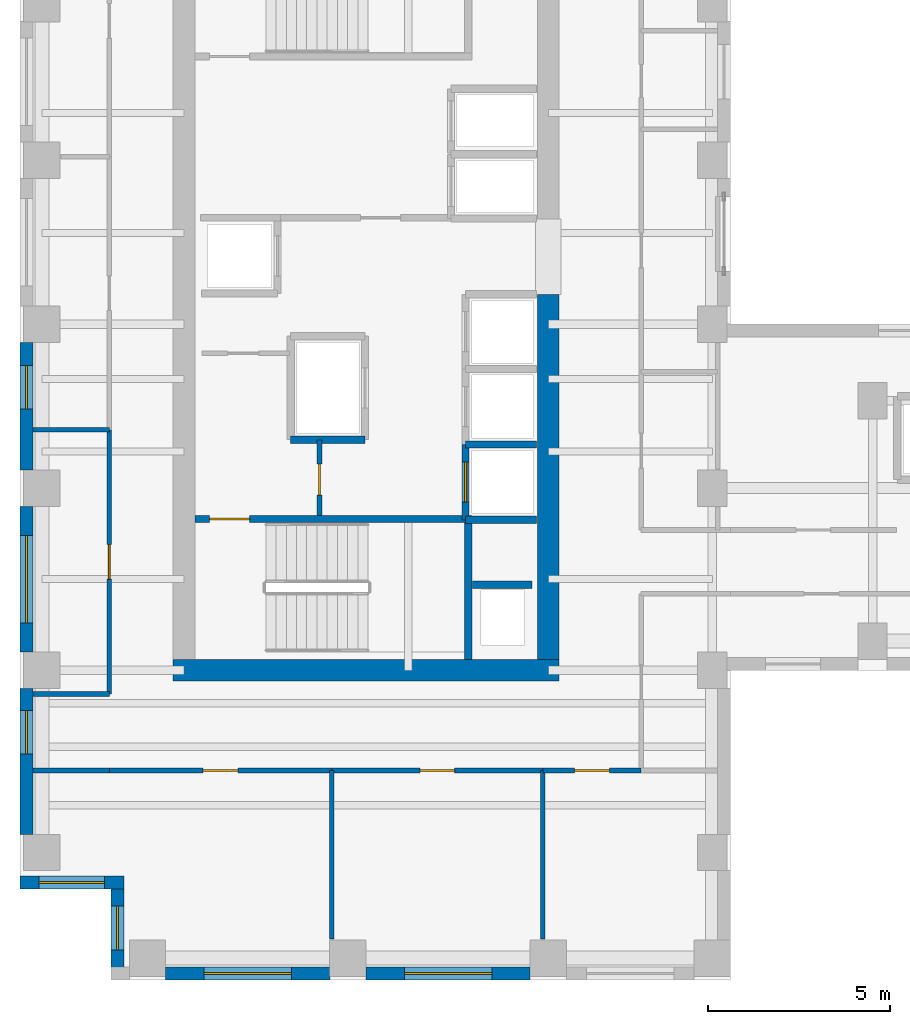
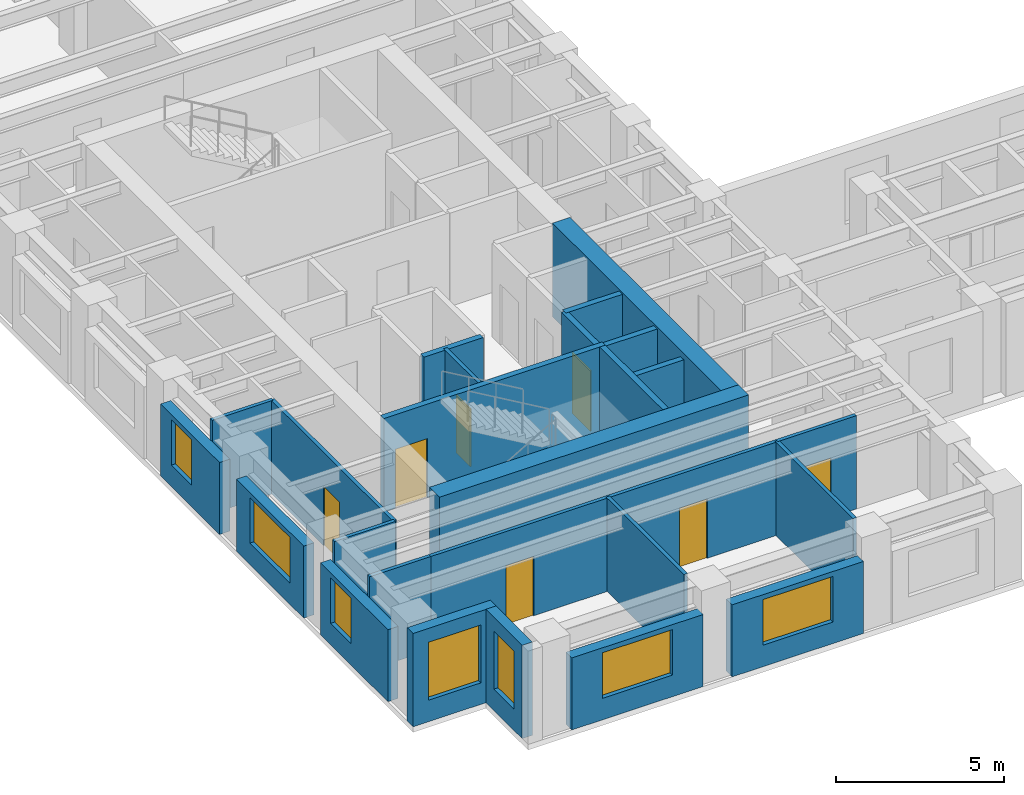
# One storey, part 4 of 11: 26 walls, 7 doors, 7 windows, 14 openings.
"""IFC4 building model written with IfcOpenShell, lengths in metres."""

from ifc_helpers import new_model, si_unit, direction, frame, frame_2d, origin, place, context, subcontext, project, spatial, rectangle, extrude, source, transform, mapped, material, layer, layer_set, type_object, element, fill, save


model = new_model("IFC4")

# Units and contexts
model_context = context("Model", 3, precision=1e-05, world=origin(), true_north=direction((0.0, 1.0)))
body_context = subcontext(model_context, "Body", "Model", "MODEL_VIEW")
ifc_project = project(units=[si_unit("LENGTHUNIT", "METRE"), si_unit("AREAUNIT", "SQUARE_METRE"), si_unit("VOLUMEUNIT", "CUBIC_METRE"), si_unit("PLANEANGLEUNIT", "RADIAN"), si_unit("MASSUNIT", "GRAM", prefix="KILO")], contexts=[model_context])

# Site, building, storey
site_placement = place(None, origin())
site = spatial("IfcSite", under=ifc_project, at=site_placement, CompositionType="ELEMENT")
building_placement = place(site_placement, origin())
building = spatial("IfcBuilding", under=site, at=building_placement, Name="Kharzan Plaza Tower", CompositionType="ELEMENT")
storey_placement = place(building_placement, frame((0.0, 0.0, 182.699951171875)))
storey = spatial("IfcBuildingStorey", under=building, at=storey_placement, Name="L49", CompositionType="ELEMENT", Elevation=182.699951171875)

# Wall, opening, window
ifc_material_1 = material(Name="Concrete C40/50", Category="concrete")
ifc_layer_1 = layer(ifc_material_1, 0.35009765625)
ifc_layer_set_1 = layer_set([ifc_layer_1], Name="Concrete C40/50")
wall_type_1 = type_object("IfcWallType", Name="WL-EXT-MAS-Z3", PredefinedType="SOLIDWALL", material=ifc_layer_set_1)
wall_1_placement = place(storey_placement, frame((0.175048828125, 17.501953125, 0.0), z_axis=(0.0, 0.0, 1.0), x_axis=(0.0, -1.0, 0.0)))
wall_1 = element("IfcWall", 1, at=wall_1_placement, inside=storey, type_object=wall_type_1, Name="L49 Masonry-Frame Exterior Wall 15", PredefinedType="SOLIDWALL", context=body_context, shape_type="SweptSolid", body=[
    extrude(rectangle(XDim=3.50390625, YDim=0.35009765625, at=frame_2d((1.751953125, 0.0))), origin(), (0.0, 0.0, 1.0), 2.612060546875),
])
opening_1_placement = place(wall_1_placement, frame((0.635986328125, 0.0, 0.780029296875)))
opening_1 = element("IfcOpeningElement", 2, at=opening_1_placement, cuts=wall_1, Name="Opening W3", PredefinedType="OPENING", context=body_context, shape_type="SweptSolid", body=[
    extrude(rectangle(XDim=1.199951171875, YDim=1.652099609375, at=frame_2d((0.60009765625, 0.826171875))), frame((0.0, 0.18505859375, 0.0), z_axis=(0.0, -1.0, 0.0), x_axis=(1.0, 0.0, 0.0)), (0.0, 0.0, 1.0), 0.3701171875),
])
ifc_material_2 = material(Name="Low-E Double Glazing", Category="glass")
window_type_1 = type_object("IfcWindowType", Name="WN-REC-1200x2100", PartitioningType="SINGLE_PANEL", PredefinedType="WINDOW", material=ifc_material_2)
shared_shape_1 = source(origin(), body_context, "Body", "SweptSolid", [
    extrude(rectangle(XDim=1.199951171875, YDim=1.652099609375, at=frame_2d((0.60009765625, 0.826171875))), frame((0.0, 0.030029296875, 0.0), z_axis=(0.0, -1.0, 0.0), x_axis=(1.0, 0.0, 0.0)), (0.0, 0.0, 1.0), 0.06005859375),
])
window_1_placement = place(opening_1_placement, origin())
window_1 = element("IfcWindow", 3, at=window_1_placement, inside=storey, type_object=window_type_1, Name="L49 Recessed Solar-Control Window 15-1", OverallHeight=1.652099609375, OverallWidth=1.199951171875, PartitioningType="SINGLE_PANEL", PredefinedType="WINDOW", context=body_context, shape_type="MappedRepresentation", body=[
    mapped(shared_shape_1, transform((0.0, 0.0, 0.0), x_axis=(1.0, 0.0, 0.0), y_axis=(0.0, 1.0, 0.0), z_axis=(0.0, 0.0, 1.0))),
])
fill(opening_1, window_1)

wall_2_placement = place(storey_placement, frame((0.175048828125, 13.001953125, 0.0), z_axis=(0.0, 0.0, 1.0), x_axis=(0.0, -1.0, 0.0)))
wall_2 = element("IfcWall", 4, at=wall_2_placement, inside=storey, type_object=wall_type_1, Name="L49 Masonry-Frame Exterior Wall 16", PredefinedType="SOLIDWALL", context=body_context, shape_type="SweptSolid", body=[
    extrude(rectangle(XDim=4.00390625, YDim=0.35009765625, at=frame_2d((2.001953125, 0.0))), origin(), (0.0, 0.0, 1.0), 2.612060546875),
])
opening_2_placement = place(wall_2_placement, frame((0.802001953125, 0.0, 0.780029296875)))
opening_2 = element("IfcOpeningElement", 5, at=opening_2_placement, cuts=wall_2, Name="Opening W2", PredefinedType="OPENING", context=body_context, shape_type="SweptSolid", body=[
    extrude(rectangle(XDim=2.39990234375, YDim=1.652099609375, at=frame_2d((1.199951171875, 0.826171875))), frame((0.0, 0.18505859375, 0.0), z_axis=(0.0, -1.0, 0.0), x_axis=(1.0, 0.0, 0.0)), (0.0, 0.0, 1.0), 0.3701171875),
])
window_type_2 = type_object("IfcWindowType", Name="WN-REC-2400x2100", PartitioningType="SINGLE_PANEL", PredefinedType="WINDOW", material=ifc_material_2)
shared_shape_2 = source(origin(), body_context, "Body", "SweptSolid", [
    extrude(rectangle(XDim=2.39990234375, YDim=1.652099609375, at=frame_2d((1.199951171875, 0.826171875))), frame((0.0, 0.030029296875, 0.0), z_axis=(0.0, -1.0, 0.0), x_axis=(1.0, 0.0, 0.0)), (0.0, 0.0, 1.0), 0.06005859375),
])
window_2_placement = place(opening_2_placement, origin())
window_2 = element("IfcWindow", 6, at=window_2_placement, inside=storey, type_object=window_type_2, Name="L49 Wide Recessed Solar-Control Window 16-1", OverallHeight=1.652099609375, OverallWidth=2.39990234375, PartitioningType="SINGLE_PANEL", PredefinedType="WINDOW", context=body_context, shape_type="MappedRepresentation", body=[
    mapped(shared_shape_2, transform((0.0, 0.0, 0.0), x_axis=(1.0, 0.0, 0.0), y_axis=(0.0, 1.0, 0.0), z_axis=(0.0, 0.0, 1.0))),
])
fill(opening_2, window_2)

wall_3_placement = place(storey_placement, frame((0.175048828125, 8.001953125, 0.0), z_axis=(0.0, 0.0, 1.0), x_axis=(0.0, -1.0, 0.0)))
wall_3 = element("IfcWall", 7, at=wall_3_placement, inside=storey, type_object=wall_type_1, Name="L49 Masonry-Frame Exterior Wall 17", PredefinedType="SOLIDWALL", context=body_context, shape_type="SweptSolid", body=[
    extrude(rectangle(XDim=4.00390625, YDim=0.35009765625, at=frame_2d((2.001953125, 0.0))), origin(), (0.0, 0.0, 1.0), 2.612060546875),
])
opening_3_placement = place(wall_3_placement, frame((0.60205078125, 0.0, 0.780029296875)))
opening_3 = element("IfcOpeningElement", 8, at=opening_3_placement, cuts=wall_3, Name="Opening W3", PredefinedType="OPENING", context=body_context, shape_type="SweptSolid", body=[
    extrude(rectangle(XDim=1.199951171875, YDim=1.652099609375, at=frame_2d((0.60009765625, 0.826171875))), frame((0.0, 0.18505859375, 0.0), z_axis=(0.0, -1.0, 0.0), x_axis=(1.0, 0.0, 0.0)), (0.0, 0.0, 1.0), 0.3701171875),
])
window_3_placement = place(opening_3_placement, origin())
window_3 = element("IfcWindow", 9, at=window_3_placement, inside=storey, type_object=window_type_1, Name="L49 Recessed Solar-Control Window 17-1", OverallHeight=1.652099609375, OverallWidth=1.199951171875, PartitioningType="SINGLE_PANEL", PredefinedType="WINDOW", context=body_context, shape_type="MappedRepresentation", body=[
    mapped(shared_shape_1, transform((0.0, 0.0, 0.0), x_axis=(1.0, 0.0, 0.0), y_axis=(0.0, 1.0, 0.0), z_axis=(0.0, 0.0, 1.0))),
])
fill(opening_3, window_3)

wall_4_placement = place(storey_placement, frame((0.0, 2.675048828125, 0.0), z_axis=(0.0, 0.0, 1.0), x_axis=(1.0, 0.0, 0.0)))
wall_4 = element("IfcWall", 10, at=wall_4_placement, inside=storey, type_object=wall_type_1, Name="L49 Masonry-Frame Exterior Wall 18", PredefinedType="SOLIDWALL", context=body_context, shape_type="SweptSolid", body=[
    extrude(rectangle(XDim=2.85009765625, YDim=0.35009765625, at=frame_2d((1.425048828125, 0.0))), origin(), (0.0, 0.0, 1.0), 3.385009765625),
])
opening_4_placement = place(wall_4_placement, frame((0.52490234375, 0.0, 0.780029296875)))
opening_4 = element("IfcOpeningElement", 11, at=opening_4_placement, cuts=wall_4, Name="Opening W1", PredefinedType="OPENING", context=body_context, shape_type="SweptSolid", body=[
    extrude(rectangle(XDim=1.800048828125, YDim=2.10009765625, at=frame_2d((0.89990234375, 1.050048828125))), frame((0.0, 0.18505859375, 0.0), z_axis=(0.0, -1.0, 0.0), x_axis=(1.0, 0.0, 0.0)), (0.0, 0.0, 1.0), 0.3701171875),
])
window_type_3 = type_object("IfcWindowType", Name="WN-REC-1800x2100", PartitioningType="SINGLE_PANEL", PredefinedType="WINDOW", material=ifc_material_2)
shared_shape_3 = source(origin(), body_context, "Body", "SweptSolid", [
    extrude(rectangle(XDim=1.800048828125, YDim=2.10009765625, at=frame_2d((0.89990234375, 1.050048828125))), frame((0.0, 0.030029296875, 0.0), z_axis=(0.0, -1.0, 0.0), x_axis=(1.0, 0.0, 0.0)), (0.0, 0.0, 1.0), 0.06005859375),
])
window_4_placement = place(opening_4_placement, origin())
window_4 = element("IfcWindow", 12, at=window_4_placement, inside=storey, type_object=window_type_3, Name="L49 Recessed Solar-Control Window 18-1", OverallHeight=2.10009765625, OverallWidth=1.800048828125, PartitioningType="SINGLE_PANEL", PredefinedType="WINDOW", context=body_context, shape_type="MappedRepresentation", body=[
    mapped(shared_shape_3, transform((0.0, 0.0, 0.0), x_axis=(1.0, 0.0, 0.0), y_axis=(0.0, 1.0, 0.0), z_axis=(0.0, 0.0, 1.0))),
])
fill(opening_4, window_4)

wall_5_placement = place(storey_placement, frame((2.675048828125, 2.501953125, 0.0), z_axis=(0.0, 0.0, 1.0), x_axis=(0.0, -1.0, 0.0)))
wall_5 = element("IfcWall", 13, at=wall_5_placement, inside=storey, type_object=wall_type_1, Name="L49 Masonry-Frame Exterior Wall 19", PredefinedType="SOLIDWALL", context=body_context, shape_type="SweptSolid", body=[
    extrude(rectangle(XDim=2.154052734375, YDim=0.35009765625, at=frame_2d((1.0771484375, 0.0))), origin(), (0.0, 0.0, 1.0), 3.385009765625),
])
opening_5_placement = place(wall_5_placement, frame((0.47705078125, 0.0, 0.780029296875)))
opening_5 = element("IfcOpeningElement", 14, at=opening_5_placement, cuts=wall_5, Name="Opening W3", PredefinedType="OPENING", context=body_context, shape_type="SweptSolid", body=[
    extrude(rectangle(XDim=1.199951171875, YDim=2.10009765625, at=frame_2d((0.60009765625, 1.050048828125))), frame((0.0, 0.18505859375, 0.0), z_axis=(0.0, -1.0, 0.0), x_axis=(1.0, 0.0, 0.0)), (0.0, 0.0, 1.0), 0.3701171875),
])
shared_shape_4 = source(origin(), body_context, "Body", "SweptSolid", [
    extrude(rectangle(XDim=1.199951171875, YDim=2.10009765625, at=frame_2d((0.60009765625, 1.050048828125))), frame((0.0, 0.030029296875, 0.0), z_axis=(0.0, -1.0, 0.0), x_axis=(1.0, 0.0, 0.0)), (0.0, 0.0, 1.0), 0.06005859375),
])
window_5_placement = place(opening_5_placement, origin())
window_5 = element("IfcWindow", 15, at=window_5_placement, inside=storey, type_object=window_type_1, Name="L49 Recessed Solar-Control Window 19-1", OverallHeight=2.10009765625, OverallWidth=1.199951171875, PartitioningType="SINGLE_PANEL", PredefinedType="WINDOW", context=body_context, shape_type="MappedRepresentation", body=[
    mapped(shared_shape_4, transform((0.0, 0.0, 0.0), x_axis=(1.0, 0.0, 0.0), y_axis=(0.0, 1.0, 0.0), z_axis=(0.0, 0.0, 1.0))),
])
fill(opening_5, window_5)

wall_6_placement = place(storey_placement, frame((3.998046875, 0.175048828125, 0.0), z_axis=(0.0, 0.0, 1.0), x_axis=(1.0, 0.0, 0.0)))
wall_6 = element("IfcWall", 16, at=wall_6_placement, inside=storey, type_object=wall_type_1, Name="L49 Masonry-Frame Exterior Wall 21", PredefinedType="SOLIDWALL", context=body_context, shape_type="SweptSolid", body=[
    extrude(rectangle(XDim=4.50390625, YDim=0.35009765625, at=frame_2d((2.251953125, 0.0))), origin(), (0.0, 0.0, 1.0), 2.612060546875),
])
opening_6_placement = place(wall_6_placement, frame((1.052001953125, 0.0, 0.780029296875)))
opening_6 = element("IfcOpeningElement", 17, at=opening_6_placement, cuts=wall_6, Name="Opening W2", PredefinedType="OPENING", context=body_context, shape_type="SweptSolid", body=[
    extrude(rectangle(XDim=2.39990234375, YDim=1.652099609375, at=frame_2d((1.199951171875, 0.826171875))), frame((0.0, 0.18505859375, 0.0), z_axis=(0.0, -1.0, 0.0), x_axis=(1.0, 0.0, 0.0)), (0.0, 0.0, 1.0), 0.3701171875),
])
window_6_placement = place(opening_6_placement, origin())
window_6 = element("IfcWindow", 18, at=window_6_placement, inside=storey, type_object=window_type_2, Name="L49 Wide Recessed Solar-Control Window 21-1", OverallHeight=1.652099609375, OverallWidth=2.39990234375, PartitioningType="SINGLE_PANEL", PredefinedType="WINDOW", context=body_context, shape_type="MappedRepresentation", body=[
    mapped(shared_shape_2, transform((0.0, 0.0, 0.0), x_axis=(1.0, 0.0, 0.0), y_axis=(0.0, 1.0, 0.0), z_axis=(0.0, 0.0, 1.0))),
])
fill(opening_6, window_6)

wall_7_placement = place(storey_placement, frame((9.498046875, 0.175048828125, 0.0), z_axis=(0.0, 0.0, 1.0), x_axis=(1.0, 0.0, 0.0)))
wall_7 = element("IfcWall", 19, at=wall_7_placement, inside=storey, type_object=wall_type_1, Name="L49 Masonry-Frame Exterior Wall 22", PredefinedType="SOLIDWALL", context=body_context, shape_type="SweptSolid", body=[
    extrude(rectangle(XDim=4.50390625, YDim=0.35009765625, at=frame_2d((2.251953125, 0.0))), origin(), (0.0, 0.0, 1.0), 2.612060546875),
])
opening_7_placement = place(wall_7_placement, frame((1.052001953125, 0.0, 0.780029296875)))
opening_7 = element("IfcOpeningElement", 20, at=opening_7_placement, cuts=wall_7, Name="Opening W2", PredefinedType="OPENING", context=body_context, shape_type="SweptSolid", body=[
    extrude(rectangle(XDim=2.39990234375, YDim=1.652099609375, at=frame_2d((1.199951171875, 0.826171875))), frame((0.0, 0.18505859375, 0.0), z_axis=(0.0, -1.0, 0.0), x_axis=(1.0, 0.0, 0.0)), (0.0, 0.0, 1.0), 0.3701171875),
])
window_7_placement = place(opening_7_placement, origin())
window_7 = element("IfcWindow", 21, at=window_7_placement, inside=storey, type_object=window_type_2, Name="L49 Wide Recessed Solar-Control Window 22-1", OverallHeight=1.652099609375, OverallWidth=2.39990234375, PartitioningType="SINGLE_PANEL", PredefinedType="WINDOW", context=body_context, shape_type="MappedRepresentation", body=[
    mapped(shared_shape_2, transform((0.0, 0.0, 0.0), x_axis=(1.0, 0.0, 0.0), y_axis=(0.0, 1.0, 0.0), z_axis=(0.0, 0.0, 1.0))),
])
fill(opening_7, window_7)

# Wall, opening, door
ifc_material_3 = material(Name="Fire-Rated Gypsum Board Partition", Category="gypsum")
ifc_layer_2 = layer(ifc_material_3, 0.125)
ifc_layer_set_2 = layer_set([ifc_layer_2], Name="Fire-Rated Gypsum Board Partition")
wall_type_2 = type_object("IfcWallType", Name="WL-INT-PART-125", PredefinedType="PARTITIONING", material=ifc_layer_set_2)
wall_8_placement = place(storey_placement, frame((8.219970703125, 12.75, 0.0), z_axis=(0.0, 0.0, 1.0), x_axis=(0.0, 1.0, 0.0)))
wall_8 = element("IfcWall", 22, at=wall_8_placement, inside=storey, type_object=wall_type_2, Name="L49 Interior Partition CA-K1E", PredefinedType="PARTITIONING", context=body_context, shape_type="SweptSolid", body=[
    extrude(rectangle(XDim=2.070068359375, YDim=0.125, at=frame_2d((1.03515625, 0.0))), origin(), (0.0, 0.0, 1.0), 3.385009765625),
])
opening_8_placement = place(wall_8_placement, frame((0.56005859375, 0.0, 0.0)))
opening_8 = element("IfcOpeningElement", 23, at=opening_8_placement, cuts=wall_8, Name="Opening RD1", PredefinedType="OPENING", context=body_context, shape_type="SweptSolid", body=[
    extrude(rectangle(XDim=0.85009765625, YDim=2.10009765625, at=frame_2d((0.425048828125, 1.050048828125))), frame((0.0, 0.072509765625, 0.0), z_axis=(0.0, -1.0, 0.0), x_axis=(1.0, 0.0, 0.0)), (0.0, 0.0, 1.0), 0.14501953125),
])
ifc_material_4 = material(Name="Powder-Coated Fire-Rated Steel", Category="steel")
door_type_1 = type_object("IfcDoorType", Name="DR-RISER-900", OperationType="NOTDEFINED", PredefinedType="DOOR", material=ifc_material_4)
shared_shape_5 = source(origin(), body_context, "Body", "SweptSolid", [
    extrude(rectangle(XDim=0.85009765625, YDim=2.10009765625, at=frame_2d((0.425048828125, 1.050048828125))), frame((0.0, 0.02490234375, 0.0), z_axis=(0.0, -1.0, 0.0), x_axis=(1.0, 0.0, 0.0)), (0.0, 0.0, 1.0), 0.050048828125),
])
door_1_placement = place(opening_8_placement, origin())
door_1 = element("IfcDoor", 24, at=door_1_placement, inside=storey, type_object=door_type_1, Name="L49 Core Service Store Door", OperationType="SINGLE_SWING_RIGHT", OverallHeight=2.10009765625, OverallWidth=0.85009765625, PredefinedType="DOOR", context=body_context, shape_type="MappedRepresentation", body=[
    mapped(shared_shape_5, transform((0.0, 0.0, 0.0), x_axis=(1.0, 0.0, 0.0), y_axis=(0.0, 1.0, 0.0), z_axis=(0.0, 0.0, 1.0))),
])
fill(opening_8, door_1)

wall_9_placement = place(storey_placement, frame((2.449951171875, 5.75, 0.0), z_axis=(0.0, 0.0, 1.0), x_axis=(1.0, 0.0, 0.0)))
wall_9 = element("IfcWall", 25, at=wall_9_placement, inside=storey, type_object=wall_type_2, Name="L49 Interior Partition SH-SS-1", PredefinedType="PARTITIONING", context=body_context, shape_type="SweptSolid", body=[
    extrude(rectangle(XDim=6.108154296875, YDim=0.125, at=frame_2d((3.05419921875, 0.0))), origin(), (0.0, 0.0, 1.0), 3.385009765625),
])
opening_9_placement = place(wall_9_placement, frame((2.5791015625, 0.0, 0.0)))
opening_9 = element("IfcOpeningElement", 26, at=opening_9_placement, cuts=wall_9, Name="Opening OD1", PredefinedType="OPENING", context=body_context, shape_type="SweptSolid", body=[
    extrude(rectangle(XDim=0.949951171875, YDim=2.14990234375, at=frame_2d((0.47509765625, 1.074951171875))), frame((0.0, 0.072509765625, 0.0), z_axis=(0.0, -1.0, 0.0), x_axis=(1.0, 0.0, 0.0)), (0.0, 0.0, 1.0), 0.14501953125),
])
ifc_material_5 = material(Name="Acoustic Solid-Core Stained Oak", Category="timber")
door_type_2 = type_object("IfcDoorType", Name="DR-OFF-SINGLE", OperationType="NOTDEFINED", PredefinedType="DOOR", material=ifc_material_5)
shared_shape_6 = source(origin(), body_context, "Body", "SweptSolid", [
    extrude(rectangle(XDim=0.949951171875, YDim=2.14990234375, at=frame_2d((0.47509765625, 1.074951171875))), frame((0.0, 0.02490234375, 0.0), z_axis=(0.0, -1.0, 0.0), x_axis=(1.0, 0.0, 0.0)), (0.0, 0.0, 1.0), 0.050048828125),
])
door_2_placement = place(opening_9_placement, origin())
door_2 = element("IfcDoor", 27, at=door_2_placement, inside=storey, type_object=door_type_2, Name="L49 Safety Briefing Room Door", OperationType="SINGLE_SWING_LEFT", OverallHeight=2.14990234375, OverallWidth=0.949951171875, PredefinedType="DOOR", context=body_context, shape_type="MappedRepresentation", body=[
    mapped(shared_shape_6, transform((0.0, 0.0, 0.0), x_axis=(1.0, 0.0, 0.0), y_axis=(0.0, 1.0, 0.0), z_axis=(0.0, 0.0, 1.0))),
])
fill(opening_9, door_2)

wall_10_placement = place(storey_placement, frame((8.55810546875, 5.75, 0.0), z_axis=(0.0, 0.0, 1.0), x_axis=(1.0, 0.0, 0.0)))
wall_10 = element("IfcWall", 28, at=wall_10_placement, inside=storey, type_object=wall_type_2, Name="L49 Interior Partition SH-SS-2", PredefinedType="PARTITIONING", context=body_context, shape_type="SweptSolid", body=[
    extrude(rectangle(XDim=5.7919921875, YDim=0.125, at=frame_2d((2.89599609375, 0.0))), origin(), (0.0, 0.0, 1.0), 3.385009765625),
])
opening_10_placement = place(wall_10_placement, frame((2.4208984375, 0.0, 0.0)))
opening_10 = element("IfcOpeningElement", 29, at=opening_10_placement, cuts=wall_10, Name="Opening OD1", PredefinedType="OPENING", context=body_context, shape_type="SweptSolid", body=[
    extrude(rectangle(XDim=0.949951171875, YDim=2.14990234375, at=frame_2d((0.47509765625, 1.074951171875))), frame((0.0, 0.072509765625, 0.0), z_axis=(0.0, -1.0, 0.0), x_axis=(1.0, 0.0, 0.0)), (0.0, 0.0, 1.0), 0.14501953125),
])
door_3_placement = place(opening_10_placement, origin())
door_3 = element("IfcDoor", 30, at=door_3_placement, inside=storey, type_object=door_type_2, Name="L49 Staff Refreshment Pantry Door", OperationType="SINGLE_SWING_RIGHT", OverallHeight=2.14990234375, OverallWidth=0.949951171875, PredefinedType="DOOR", context=body_context, shape_type="MappedRepresentation", body=[
    mapped(shared_shape_6, transform((0.0, 0.0, 0.0), x_axis=(1.0, 0.0, 0.0), y_axis=(0.0, 1.0, 0.0), z_axis=(0.0, 0.0, 1.0))),
])
fill(opening_10, door_3)

wall_11_placement = place(storey_placement, frame((14.35009765625, 5.75, 0.0), z_axis=(0.0, 0.0, 1.0), x_axis=(1.0, 0.0, 0.0)))
wall_11 = element("IfcWall", 31, at=wall_11_placement, inside=storey, type_object=wall_type_2, Name="L49 Interior Partition SH-SS-3", PredefinedType="PARTITIONING", context=body_context, shape_type="SweptSolid", body=[
    extrude(rectangle(XDim=2.699951171875, YDim=0.125, at=frame_2d((1.35009765625, 0.0))), origin(), (0.0, 0.0, 1.0), 3.385009765625),
])
opening_11_placement = place(wall_11_placement, frame((0.875, 0.0, 0.0)))
opening_11 = element("IfcOpeningElement", 32, at=opening_11_placement, cuts=wall_11, Name="Opening OD1", PredefinedType="OPENING", context=body_context, shape_type="SweptSolid", body=[
    extrude(rectangle(XDim=0.949951171875, YDim=2.14990234375, at=frame_2d((0.47509765625, 1.074951171875))), frame((0.0, 0.072509765625, 0.0), z_axis=(0.0, -1.0, 0.0), x_axis=(1.0, 0.0, 0.0)), (0.0, 0.0, 1.0), 0.14501953125),
])
door_4_placement = place(opening_11_placement, origin())
door_4 = element("IfcDoor", 33, at=door_4_placement, inside=storey, type_object=door_type_2, Name="L49 Staff Refreshment Pantry Door", OperationType="SINGLE_SWING_LEFT", OverallHeight=2.14990234375, OverallWidth=0.949951171875, PredefinedType="DOOR", context=body_context, shape_type="MappedRepresentation", body=[
    mapped(shared_shape_6, transform((0.0, 0.0, 0.0), x_axis=(1.0, 0.0, 0.0), y_axis=(0.0, 1.0, 0.0), z_axis=(0.0, 0.0, 1.0))),
])
fill(opening_11, door_4)

wall_12_placement = place(storey_placement, frame((2.449951171875, 7.85009765625, 0.0), z_axis=(0.0, 0.0, 1.0), x_axis=(0.0, 1.0, 0.0)))
wall_12 = element("IfcWall", 34, at=wall_12_placement, inside=storey, type_object=wall_type_2, Name="L49 Interior Partition SH-WW-1", PredefinedType="PARTITIONING", context=body_context, shape_type="SweptSolid", body=[
    extrude(rectangle(XDim=7.25, YDim=0.125, at=frame_2d((3.625, 0.0))), origin(), (0.0, 0.0, 1.0), 3.385009765625),
])
opening_12_placement = place(wall_12_placement, frame((3.14990234375, 0.0, 0.0)))
opening_12 = element("IfcOpeningElement", 35, at=opening_12_placement, cuts=wall_12, Name="Opening OD1", PredefinedType="OPENING", context=body_context, shape_type="SweptSolid", body=[
    extrude(rectangle(XDim=0.949951171875, YDim=2.14990234375, at=frame_2d((0.47509765625, 1.074951171875))), frame((0.0, 0.072509765625, 0.0), z_axis=(0.0, -1.0, 0.0), x_axis=(1.0, 0.0, 0.0)), (0.0, 0.0, 1.0), 0.14501953125),
])
door_5_placement = place(opening_12_placement, origin())
door_5 = element("IfcDoor", 36, at=door_5_placement, inside=storey, type_object=door_type_2, Name="L49 Operations Control Office Door", OperationType="SINGLE_SWING_RIGHT", OverallHeight=2.14990234375, OverallWidth=0.949951171875, PredefinedType="DOOR", context=body_context, shape_type="MappedRepresentation", body=[
    mapped(shared_shape_6, transform((0.0, 0.0, 0.0), x_axis=(1.0, 0.0, 0.0), y_axis=(0.0, 1.0, 0.0), z_axis=(0.0, 0.0, 1.0))),
])
fill(opening_12, door_5)

ifc_layer_3 = layer(ifc_material_1, 0.199951171875)
ifc_layer_set_3 = layer_set([ifc_layer_3], Name="Concrete C40/50")
wall_type_3 = type_object("IfcWallType", Name="WL-INT-SHAFT-200", PredefinedType="PARTITIONING", material=ifc_layer_set_3)
wall_13_placement = place(storey_placement, frame((12.22998046875, 12.6298828125, 0.0), z_axis=(0.0, 0.0, 1.0), x_axis=(0.0, 1.0, 0.0)))
wall_13 = element("IfcWall", 37, at=wall_13_placement, inside=storey, type_object=wall_type_3, Name="L49 Interior Partition SHF-PL-H1-W", PredefinedType="PARTITIONING", context=body_context, shape_type="SweptSolid", body=[
    extrude(rectangle(XDim=2.070068359375, YDim=0.199951171875, at=frame_2d((1.03515625, 0.0))), origin(), (0.0, 0.0, 1.0), 3.385009765625),
])
opening_13_placement = place(wall_13_placement, frame((0.485107421875, 0.0, 0.0)))
opening_13 = element("IfcOpeningElement", 38, at=opening_13_placement, cuts=wall_13, Name="Opening LD", PredefinedType="OPENING", context=body_context, shape_type="SweptSolid", body=[
    extrude(rectangle(XDim=1.10009765625, YDim=2.199951171875, at=frame_2d((0.550048828125, 1.10009765625))), frame((0.0, 0.10986328125, 0.0), z_axis=(0.0, -1.0, 0.0), x_axis=(1.0, 0.0, 0.0)), (0.0, 0.0, 1.0), 0.219970703125),
])
ifc_material_6 = material(Name="Brushed Stainless Steel", Category="steel")
door_type_3 = type_object("IfcDoorType", Name="DR-LIFT-SLIDE", OperationType="SLIDING_TO_LEFT", PredefinedType="DOOR", material=ifc_material_6)
shared_shape_7 = source(origin(), body_context, "Body", "SweptSolid", [
    extrude(rectangle(XDim=1.10009765625, YDim=2.199951171875, at=frame_2d((0.550048828125, 1.10009765625))), frame((0.0, 0.02490234375, 0.0), z_axis=(0.0, -1.0, 0.0), x_axis=(1.0, 0.0, 0.0)), (0.0, 0.0, 1.0), 0.050048828125),
])
door_6_placement = place(opening_13_placement, origin())
door_6 = element("IfcDoor", 39, at=door_6_placement, inside=storey, type_object=door_type_3, Name="L49 High-Rise Passenger Lift PL-H1 Sliding Landing Door", OperationType="SLIDING_TO_LEFT", OverallHeight=2.199951171875, OverallWidth=1.10009765625, PredefinedType="DOOR", context=body_context, shape_type="MappedRepresentation", body=[
    mapped(shared_shape_7, transform((0.0, 0.0, 0.0), x_axis=(1.0, 0.0, 0.0), y_axis=(0.0, 1.0, 0.0), z_axis=(0.0, 0.0, 1.0))),
])
fill(opening_13, door_6)

ifc_material_7 = material(Name="Concrete C50/60", Category="concrete")
ifc_layer_4 = layer(ifc_material_7, 0.199951171875)
ifc_layer_set_4 = layer_set([ifc_layer_4], Name="Concrete C50/60")
wall_type_4 = type_object("IfcWallType", Name="WL-SHAFT-RC200", PredefinedType="SHEAR", material=ifc_layer_set_4)
wall_14_placement = place(storey_placement, frame((4.802001953125, 12.655029296875, 0.0), z_axis=(0.0, 0.0, 1.0), x_axis=(1.0, 0.0, 0.0)))
wall_14 = element("IfcWall", 40, at=wall_14_placement, inside=storey, type_object=wall_type_4, Name="L49 Stair ST-1 North RC Shaft Wall", PredefinedType="SHEAR", context=body_context, shape_type="SweptSolid", body=[
    extrude(rectangle(XDim=7.60302734375, YDim=0.199951171875, at=frame_2d((3.801513671875, 0.0))), origin(), (0.0, 0.0, 1.0), 3.400146484375),
])
opening_14_placement = place(wall_14_placement, frame((0.39990234375, 0.0, 0.0)))
opening_14 = element("IfcOpeningElement", 41, at=opening_14_placement, cuts=wall_14, Name="Opening SD1", PredefinedType="OPENING", context=body_context, shape_type="SweptSolid", body=[
    extrude(rectangle(XDim=1.10009765625, YDim=2.14990234375, at=frame_2d((0.550048828125, 1.074951171875))), frame((0.0, 0.10986328125, 0.0), z_axis=(0.0, -1.0, 0.0), x_axis=(1.0, 0.0, 0.0)), (0.0, 0.0, 1.0), 0.219970703125),
])
ifc_material_8 = material(Name="Fire-Rated Hollow Galvanized Steel", Category="steel")
door_type_4 = type_object("IfcDoorType", Name="DR-STAIR-FD120", OperationType="NOTDEFINED", PredefinedType="DOOR", material=ifc_material_8)
shared_shape_8 = source(origin(), body_context, "Body", "SweptSolid", [
    extrude(rectangle(XDim=1.10009765625, YDim=2.14990234375, at=frame_2d((0.550048828125, 1.074951171875))), frame((0.0, 0.02490234375, 0.0), z_axis=(0.0, -1.0, 0.0), x_axis=(1.0, 0.0, 0.0)), (0.0, 0.0, 1.0), 0.050048828125),
])
door_7_placement = place(opening_14_placement, origin())
door_7 = element("IfcDoor", 42, at=door_7_placement, inside=storey, type_object=door_type_4, Name="L49 Stair ST-1 Fire Exit Door", OperationType="SINGLE_SWING_RIGHT", OverallHeight=2.14990234375, OverallWidth=1.10009765625, PredefinedType="DOOR", context=body_context, shape_type="MappedRepresentation", body=[
    mapped(shared_shape_8, transform((0.0, 0.0, 0.0), x_axis=(1.0, 0.0, 0.0), y_axis=(0.0, 1.0, 0.0), z_axis=(0.0, 0.0, 1.0))),
])
fill(opening_14, door_7)

# Walls
shared_shape_9 = source(origin(), body_context, "Body", "SweptSolid", [
    extrude(rectangle(XDim=2.097900390625, YDim=0.125, at=frame_2d((1.048828125, 0.0))), origin(), (0.0, 0.0, 1.0), 3.385009765625),
])
for number, where, z_axis, x_axis, name in (
    (43, (0.35205078125, 7.85009765625, 0.0), (0.0, 0.0, 1.0), (1.0, 0.0, 0.0), "L49 Interior Partition SH-RWS0"),
    (44, (0.35205078125, 5.75, 0.0), (0.0, 0.0, 1.0), (1.0, 0.0, 0.0), "L49 Interior Partition SH-SS-EXT"),
    (45, (0.35205078125, 15.10009765625, 0.0), (0.0, 0.0, 1.0), (1.0, 0.0, 0.0), "L49 Interior Partition SH-WH-1"),
):
    element("IfcWall", number, at=place(storey_placement, frame(where, z_axis=z_axis, x_axis=x_axis)), inside=storey, type_object=wall_type_2, Name=name, PredefinedType="PARTITIONING", context=body_context, shape_type="MappedRepresentation", body=[
        mapped(shared_shape_9, transform((0.0, 0.0, 0.0), x_axis=(1.0, 0.0, 0.0), y_axis=(0.0, 1.0, 0.0), z_axis=(0.0, 0.0, 1.0))),
    ])
shared_shape_10 = source(origin(), body_context, "Body", "SweptSolid", [
    extrude(rectangle(XDim=1.630126953125, YDim=0.199951171875, at=frame_2d((0.81494140625, 0.0))), origin(), (0.0, 0.0, 1.0), 3.385009765625),
])
wall_15_placement = place(storey_placement, frame((12.419921875, 10.85009765625, 0.0), z_axis=(0.0, 0.0, 1.0), x_axis=(1.0, 0.0, 0.0)))
element("IfcWall", 46, at=wall_15_placement, inside=storey, type_object=wall_type_3, Name="L49 Interior Partition CA-RSRA-N", PredefinedType="PARTITIONING", context=body_context, shape_type="MappedRepresentation", body=[
    mapped(shared_shape_10, transform((0.0, 0.0, 0.0), x_axis=(1.0, 0.0, 0.0), y_axis=(0.0, 1.0, 0.0), z_axis=(0.0, 0.0, 1.0))),
])
shared_shape_11 = source(origin(), body_context, "Body", "SweptSolid", [
    extrude(rectangle(XDim=1.93994140625, YDim=0.199951171875, at=frame_2d((0.969970703125, 0.0))), origin(), (0.0, 0.0, 1.0), 3.385009765625),
])
for number, where, z_axis, x_axis, name in (
    (47, (12.22998046875, 14.699951171875, 0.0), (0.0, 0.0, 1.0), (1.0, 0.0, 0.0), "L49 Interior Partition SHF-PL-H1-N"),
    (48, (12.22998046875, 12.6298828125, 0.0), (0.0, 0.0, 1.0), (1.0, 0.0, 0.0), "L49 Interior Partition SHF-PL-H1-S"),
):
    element("IfcWall", number, at=place(storey_placement, frame(where, z_axis=z_axis, x_axis=x_axis)), inside=storey, type_object=wall_type_3, Name=name, PredefinedType="PARTITIONING", context=body_context, shape_type="MappedRepresentation", body=[
        mapped(shared_shape_11, transform((0.0, 0.0, 0.0), x_axis=(1.0, 0.0, 0.0), y_axis=(0.0, 1.0, 0.0), z_axis=(0.0, 0.0, 1.0))),
    ])
shared_shape_12 = source(origin(), body_context, "Body", "SweptSolid", [
    extrude(rectangle(XDim=2.0400390625, YDim=0.199951171875, at=frame_2d((1.02001953125, 0.0))), origin(), (0.0, 0.0, 1.0), 3.385009765625),
])
wall_16_placement = place(storey_placement, frame((7.429931640625, 14.830078125, 0.0), z_axis=(0.0, 0.0, 1.0), x_axis=(1.0, 0.0, 0.0)))
element("IfcWall", 49, at=wall_16_placement, inside=storey, type_object=wall_type_3, Name="L49 Interior Partition SHF-SVL-1-S", PredefinedType="PARTITIONING", context=body_context, shape_type="MappedRepresentation", body=[
    mapped(shared_shape_12, transform((0.0, 0.0, 0.0), x_axis=(1.0, 0.0, 0.0), y_axis=(0.0, 1.0, 0.0), z_axis=(0.0, 0.0, 1.0))),
])
ifc_layer_5 = layer(ifc_material_7, 0.60009765625)
ifc_layer_set_5 = layer_set([ifc_layer_5], Name="Concrete C50/60")
wall_type_5 = type_object("IfcWallType", Name="WL-CORE-600", PredefinedType="SHEAR", material=ifc_layer_set_5)
shared_shape_13 = source(origin(), body_context, "Body", "SweptSolid", [
    extrude(rectangle(XDim=10.02001953125, YDim=0.60009765625, at=frame_2d((5.010009765625, 0.0))), origin(), (0.0, 0.0, 1.0), 3.400146484375),
])
wall_17_placement = place(storey_placement, frame((14.5, 8.800048828125, 0.0), z_axis=(0.0, 0.0, 1.0), x_axis=(0.0, 1.0, 0.0)))
element("IfcWall", 50, at=wall_17_placement, inside=storey, type_object=wall_type_5, Name="L49 CORE-A east shear pier 1", PredefinedType="SHEAR", context=body_context, shape_type="MappedRepresentation", body=[
    mapped(shared_shape_13, transform((0.0, 0.0, 0.0), x_axis=(1.0, 0.0, 0.0), y_axis=(0.0, 1.0, 0.0), z_axis=(0.0, 0.0, 1.0))),
])
shared_shape_14 = source(origin(), body_context, "Body", "SweptSolid", [
    extrude(rectangle(XDim=10.60009765625, YDim=0.60009765625, at=frame_2d((5.300048828125, 0.0))), origin(), (0.0, 0.0, 1.0), 3.400146484375),
])
wall_18_placement = place(storey_placement, frame((4.199951171875, 8.5, 0.0), z_axis=(0.0, 0.0, 1.0), x_axis=(1.0, 0.0, 0.0)))
element("IfcWall", 51, at=wall_18_placement, inside=storey, type_object=wall_type_5, Name="L49 CORE-A south RC shear wall", PredefinedType="SHEAR", context=body_context, shape_type="MappedRepresentation", body=[
    mapped(shared_shape_14, transform((0.0, 0.0, 0.0), x_axis=(1.0, 0.0, 0.0), y_axis=(0.0, 1.0, 0.0), z_axis=(0.0, 0.0, 1.0))),
])
shared_shape_15 = source(origin(), body_context, "Body", "SweptSolid", [
    extrude(rectangle(XDim=3.7529296875, YDim=0.199951171875, at=frame_2d((1.87646484375, 0.0))), origin(), (0.0, 0.0, 1.0), 3.400146484375),
])
wall_19_placement = place(storey_placement, frame((12.304931640625, 8.802001953125, 0.0), z_axis=(0.0, 0.0, 1.0), x_axis=(0.0, 1.0, 0.0)))
element("IfcWall", 52, at=wall_19_placement, inside=storey, type_object=wall_type_4, Name="L49 Stair ST-1 East RC Shaft Wall", PredefinedType="SHEAR", context=body_context, shape_type="MappedRepresentation", body=[
    mapped(shared_shape_15, transform((0.0, 0.0, 0.0), x_axis=(1.0, 0.0, 0.0), y_axis=(0.0, 1.0, 0.0), z_axis=(0.0, 0.0, 1.0))),
])
shared_shape_16 = source(origin(), body_context, "Body", "SweptSolid", [
    extrude(rectangle(XDim=4.6298828125, YDim=0.125, at=frame_2d((2.31494140625, 0.0))), origin(), (0.0, 0.0, 1.0), 3.385009765625),
])
for number, where, z_axis, x_axis, name in (
    (53, (8.55810546875, 1.1201171875, 0.0), (0.0, 0.0, 1.0), (0.0, 1.0, 0.0), "L49 Interior Partition SH-SV-1"),
    (54, (14.35009765625, 1.1201171875, 0.0), (0.0, 0.0, 1.0), (0.0, 1.0, 0.0), "L49 Interior Partition SH-SV-2"),
):
    element("IfcWall", number, at=place(storey_placement, frame(where, z_axis=z_axis, x_axis=x_axis)), inside=storey, type_object=wall_type_2, Name=name, PredefinedType="PARTITIONING", context=body_context, shape_type="MappedRepresentation", body=[
        mapped(shared_shape_16, transform((0.0, 0.0, 0.0), x_axis=(1.0, 0.0, 0.0), y_axis=(0.0, 1.0, 0.0), z_axis=(0.0, 0.0, 1.0))),
    ])

save(model, "model.ifc")
